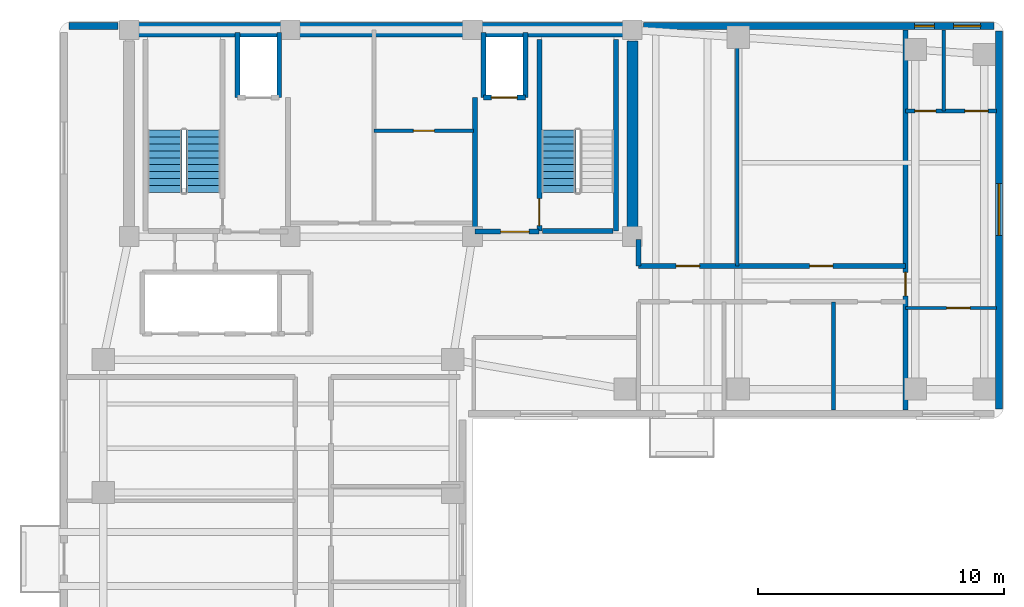
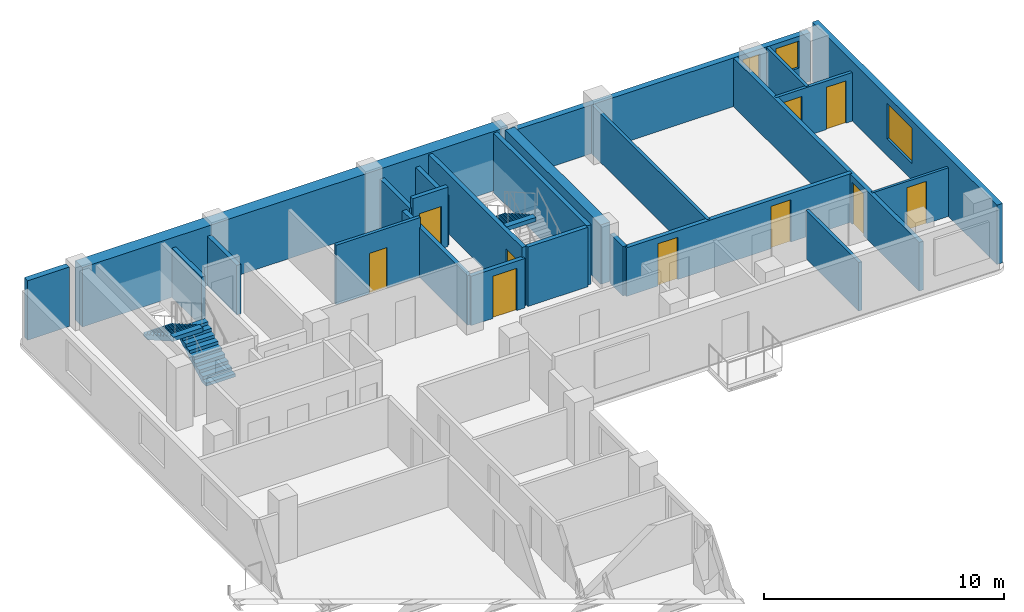
# One storey, part 4 of 7: 24 walls, 10 doors, 3 stair flights, 3 windows, 13 openings, 2 elements without a shape of their own.
"""IFC4 building model written with IfcOpenShell, lengths in metres."""

from ifc_helpers import new_model, si_unit, direction, frame, frame_2d, origin, place, context, subcontext, project, spatial, polyline, rectangle, outline, extrude, material, layer, layer_set, type_object, element, fill, aggregate, save


model = new_model("IFC4")

# Units and contexts
model_context = context("Model", 3, precision=1e-05, world=origin(), true_north=direction((0.0, 1.0)))
body_context = subcontext(model_context, "Body", "Model", "MODEL_VIEW")
ifc_project = project(units=[si_unit("LENGTHUNIT", "METRE"), si_unit("AREAUNIT", "SQUARE_METRE"), si_unit("VOLUMEUNIT", "CUBIC_METRE"), si_unit("PLANEANGLEUNIT", "RADIAN"), si_unit("MASSUNIT", "GRAM", prefix="KILO")], contexts=[model_context])

# Site, building, storey
site_placement = place(None, origin())
site = spatial("IfcSite", under=ifc_project, at=site_placement, CompositionType="ELEMENT")
building_placement = place(site_placement, origin())
building = spatial("IfcBuilding", under=site, at=building_placement, Name="Kuzgunbayir Cultural Tower", CompositionType="ELEMENT")
storey_placement = place(building_placement, frame((0.0, 0.0, 201.60009765625)))
storey = spatial("IfcBuildingStorey", under=building, at=storey_placement, Name="L59", CompositionType="ELEMENT", Elevation=201.60009765625)

# Walls
ifc_material_1 = material(Name="Concrete C50/60", Category="concrete")
ifc_layer_1 = layer(ifc_material_1, 0.449951171875)
ifc_layer_set_1 = layer_set([ifc_layer_1], Name="Concrete C50/60")
wall_type_1 = type_object("IfcWallType", Name="WAL-CORE-450", PredefinedType="SHEAR", material=ifc_layer_set_1)
wall_1_placement = place(storey_placement, frame((26.89990234375, 33.800048828125, 0.0), z_axis=(0.0, 0.0, 1.0), x_axis=(0.0, 1.0, 0.0)))
element("IfcWall", 1, at=wall_1_placement, inside=storey, type_object=wall_type_1, Name="L59 T1 Core East Shear Wall", PredefinedType="SHEAR", context=body_context, shape_type="SweptSolid", body=[
    extrude(rectangle(XDim=7.949951171875, YDim=0.449951171875, at=frame_2d((3.97509765625, 0.0))), origin(), (0.0, 0.0, 1.0), 3.02001953125),
])
ifc_material_2 = material(Name="Concrete C60/75", Category="concrete")
ifc_layer_2 = layer(ifc_material_2, 0.60009765625)
ifc_layer_set_2 = layer_set([ifc_layer_2], Name="Concrete C60/75")
wall_type_2 = type_object("IfcWallType", Name="WAL-CORE-600", PredefinedType="SHEAR", material=ifc_layer_set_2)
wall_2_placement = place(storey_placement, frame((6.449951171875, 42.199951171875, 0.0), z_axis=(0.0, 0.0, 1.0), x_axis=(1.0, 0.0, 0.0)))
element("IfcWall", 2, at=wall_2_placement, inside=storey, type_object=wall_type_2, Name="L59 T1 Core North Shear Wall", PredefinedType="SHEAR", context=body_context, shape_type="SweptSolid", body=[
    extrude(rectangle(XDim=20.449951171875, YDim=0.60009765625, at=frame_2d((10.22509765625, 0.0))), origin(), (0.0, 0.0, 1.0), 3.02001953125),
])

# Wall, openings, windows
ifc_material_3 = material(Name="Anatolian Cream Limestone", Category="masonry")
ifc_layer_3 = layer(ifc_material_3, 0.280029296875)
ifc_layer_set_3 = layer_set([ifc_layer_3], Name="Anatolian Cream Limestone")
wall_type_3 = type_object("IfcWallType", Name="WAL-EXT-STONE-280", PredefinedType="STANDARD", material=ifc_layer_set_3)
wall_3_placement = place(storey_placement, frame((41.60009765625, 42.35009765625, 0.0), z_axis=(0.0, 0.0, 1.0), x_axis=(-1.0, 0.0, 0.0)))
wall_3 = element("IfcWall", 3, at=wall_3_placement, inside=storey, type_object=wall_type_3, Name="L59 North Wing B Limestone Wall", PredefinedType="STANDARD", context=body_context, shape_type="SweptSolid", body=[
    extrude(rectangle(XDim=14.25, YDim=0.280029296875, at=frame_2d((7.125, 0.0))), origin(), (0.0, 0.0, 1.0), 2.469970703125),
])
opening_1_placement = place(wall_3_placement, frame((2.429931640625, 0.0, 0.85009765625)))
opening_1 = element("IfcOpeningElement", 4, at=opening_1_placement, cuts=wall_3, Name="Opening WN-08", PredefinedType="OPENING", context=body_context, shape_type="SweptSolid", body=[
    extrude(rectangle(XDim=0.800048828125, YDim=1.3701171875, at=frame_2d((0.39990234375, 0.68505859375))), frame((0.0, 0.14990234375, 0.0), z_axis=(0.0, -1.0, 0.0), x_axis=(1.0, 0.0, 0.0)), (0.0, 0.0, 1.0), 0.300048828125),
])
opening_2_placement = place(wall_3_placement, frame((0.550048828125, 0.0, 0.85009765625)))
opening_2 = element("IfcOpeningElement", 5, at=opening_2_placement, cuts=wall_3, Name="Opening WN-11", PredefinedType="OPENING", context=body_context, shape_type="SweptSolid", body=[
    extrude(rectangle(XDim=1.10009765625, YDim=1.3701171875, at=frame_2d((0.550048828125, 0.68505859375))), frame((0.0, 0.14990234375, 0.0), z_axis=(0.0, -1.0, 0.0), x_axis=(1.0, 0.0, 0.0)), (0.0, 0.0, 1.0), 0.300048828125),
])
ifc_material_4 = material(Name="Solar-Control Triple Glazing", Category="glass")
window_type_1 = type_object("IfcWindowType", Name="WIN-NARROW-11", PartitioningType="SINGLE_PANEL", PredefinedType="WINDOW", material=ifc_material_4)
window_1_placement = place(opening_2_placement, origin())
window_1 = element("IfcWindow", 6, at=window_1_placement, inside=storey, type_object=window_type_1, Name="L59 CRN Facade Window 8", OverallHeight=1.3701171875, OverallWidth=1.10009765625, PartitioningType="SINGLE_PANEL", PredefinedType="WINDOW", context=body_context, shape_type="SweptSolid", body=[
    extrude(rectangle(XDim=1.10009765625, YDim=1.3701171875, at=frame_2d((0.550048828125, 0.68505859375))), frame((0.0, 0.030029296875, 0.0), z_axis=(0.0, -1.0, 0.0), x_axis=(1.0, 0.0, 0.0)), (0.0, 0.0, 1.0), 0.06005859375),
])
fill(opening_2, window_1)
window_type_2 = type_object("IfcWindowType", Name="WIN-NARROW-80", PartitioningType="SINGLE_PANEL", PredefinedType="WINDOW", material=ifc_material_4)
window_2_placement = place(opening_1_placement, origin())
window_2 = element("IfcWindow", 7, at=window_2_placement, inside=storey, type_object=window_type_2, Name="L59 CRN Facade Window 7", OverallHeight=1.3701171875, OverallWidth=0.800048828125, PartitioningType="SINGLE_PANEL", PredefinedType="WINDOW", context=body_context, shape_type="SweptSolid", body=[
    extrude(rectangle(XDim=0.800048828125, YDim=1.3701171875, at=frame_2d((0.39990234375, 0.68505859375))), frame((0.0, 0.030029296875, 0.0), z_axis=(0.0, -1.0, 0.0), x_axis=(1.0, 0.0, 0.0)), (0.0, 0.0, 1.0), 0.06005859375),
])
fill(opening_1, window_2)

# Wall
wall_4_placement = place(storey_placement, frame((6.0, 42.35009765625, 0.0), z_axis=(0.0, 0.0, 1.0), x_axis=(-1.0, 0.0, 0.0)))
element("IfcWall", 8, at=wall_4_placement, inside=storey, type_object=wall_type_3, Name="L59 Core North-West Spandrel Link", PredefinedType="STANDARD", context=body_context, shape_type="SweptSolid", body=[
    extrude(rectangle(XDim=2.0, YDim=0.280029296875, at=frame_2d((1.0, 0.0))), origin(), (0.0, 0.0, 1.0), 3.02001953125),
])

# Wall, opening, window
wall_5_placement = place(storey_placement, frame((41.800048828125, 26.800048828125, 0.0), z_axis=(0.0, 0.0, 1.0), x_axis=(0.0, 1.0, 0.0)))
wall_5 = element("IfcWall", 9, at=wall_5_placement, inside=storey, type_object=wall_type_3, Name="L59 Wing B East Limestone Wall", PredefinedType="STANDARD", context=body_context, shape_type="SweptSolid", body=[
    extrude(rectangle(XDim=15.349853515625, YDim=0.280029296875, at=frame_2d((7.6748046875, 0.0))), origin(), (0.0, 0.0, 1.0), 3.02001953125),
])
opening_3_placement = place(wall_5_placement, frame((7.050048828125, 0.0, 0.85009765625)))
opening_3 = element("IfcOpeningElement", 10, at=opening_3_placement, cuts=wall_5, Name="Opening WR-21", PredefinedType="OPENING", context=body_context, shape_type="SweptSolid", body=[
    extrude(rectangle(XDim=2.10009765625, YDim=1.800048828125, at=frame_2d((1.050048828125, 0.89990234375))), frame((0.0, 0.14990234375, 0.0), z_axis=(0.0, -1.0, 0.0), x_axis=(1.0, 0.0, 0.0)), (0.0, 0.0, 1.0), 0.300048828125),
])
window_type_3 = type_object("IfcWindowType", Name="WIN-RESID-21", PartitioningType="SINGLE_PANEL", PredefinedType="WINDOW", material=ifc_material_4)
window_3_placement = place(opening_3_placement, origin())
window_3 = element("IfcWindow", 11, at=window_3_placement, inside=storey, type_object=window_type_3, Name="L59 WBE Facade Window 5", OverallHeight=1.800048828125, OverallWidth=2.10009765625, PartitioningType="SINGLE_PANEL", PredefinedType="WINDOW", context=body_context, shape_type="SweptSolid", body=[
    extrude(rectangle(XDim=2.10009765625, YDim=1.800048828125, at=frame_2d((1.050048828125, 0.89990234375))), frame((0.0, 0.030029296875, 0.0), z_axis=(0.0, -1.0, 0.0), x_axis=(1.0, 0.0, 0.0)), (0.0, 0.0, 1.0), 0.06005859375),
])
fill(opening_3, window_3)

# Wall, opening, door
ifc_material_5 = material(Name="Acoustic Double-Stud Drywall", Category="gypsum")
ifc_layer_4 = layer(ifc_material_5, 0.14990234375)
ifc_layer_set_4 = layer_set([ifc_layer_4], Name="Acoustic Double-Stud Drywall")
wall_type_4 = type_object("IfcWallType", Name="WAL-PART-ACOUSTIC-150", PredefinedType="PARTITIONING", material=ifc_layer_set_4)
wall_6_placement = place(storey_placement, frame((16.39990234375, 38.10009765625, 0.0), z_axis=(0.0, 0.0, 1.0), x_axis=(1.0, 0.0, 0.0)))
wall_6 = element("IfcWall", 12, at=wall_6_placement, inside=storey, type_object=wall_type_4, Name="L59 Sky Core Mid Divider", PredefinedType="PARTITIONING", context=body_context, shape_type="SweptSolid", body=[
    extrude(rectangle(XDim=4.050048828125, YDim=0.14990234375, at=frame_2d((2.02490234375, 0.0))), origin(), (0.0, 0.0, 1.0), 3.02001953125),
])
opening_4_placement = place(wall_6_placement, frame((1.60009765625, 0.0, 0.0)))
opening_4 = element("IfcOpeningElement", 13, at=opening_4_placement, cuts=wall_6, Name="Opening DC-85", PredefinedType="OPENING", context=body_context, shape_type="SweptSolid", body=[
    extrude(rectangle(XDim=0.85009765625, YDim=2.050048828125, at=frame_2d((0.425048828125, 1.02490234375))), frame((0.0, 0.0849609375, 0.0), z_axis=(0.0, -1.0, 0.0), x_axis=(1.0, 0.0, 0.0)), (0.0, 0.0, 1.0), 0.169921875),
])
ifc_material_6 = material(Name="Fire-Rated Veneered Oak Leaf", Category="wood")
door_type_1 = type_object("IfcDoorType", Name="DR-CORE-85", OperationType="NOTDEFINED", PredefinedType="DOOR", material=ifc_material_6)
door_1_placement = place(opening_4_placement, origin())
door_1 = element("IfcDoor", 14, at=door_1_placement, inside=storey, type_object=door_type_1, Name="L59 Meditation Room Door", OperationType="SINGLE_SWING_RIGHT", OverallHeight=2.050048828125, OverallWidth=0.85009765625, PredefinedType="DOOR", context=body_context, shape_type="SweptSolid", body=[
    extrude(rectangle(XDim=0.85009765625, YDim=2.050048828125, at=frame_2d((0.425048828125, 1.02490234375))), frame((0.0, 0.02490234375, 0.0), z_axis=(0.0, -1.0, 0.0), x_axis=(1.0, 0.0, 0.0)), (0.0, 0.0, 1.0), 0.050048828125),
])
fill(opening_4, door_1)

# Walls
wall_7_placement = place(storey_placement, frame((35.070068359375, 26.75, 0.0), z_axis=(0.0, 0.0, 1.0), x_axis=(0.0, 1.0, 0.0)))
element("IfcWall", 15, at=wall_7_placement, inside=storey, type_object=wall_type_4, Name="L59 Wing B South Divider 2", PredefinedType="PARTITIONING", context=body_context, shape_type="SweptSolid", body=[
    extrude(rectangle(XDim=4.39990234375, YDim=0.14990234375, at=frame_2d((2.199951171875, 0.0))), origin(), (0.0, 0.0, 1.0), 2.469970703125),
])
wall_8_placement = place(storey_placement, frame((31.159912109375, 32.60009765625, 0.0), z_axis=(0.0, 0.0, 1.0), x_axis=(0.0, 1.0, 0.0)))
element("IfcWall", 16, at=wall_8_placement, inside=storey, type_object=wall_type_4, Name="L59 Wing B North Divider 1", PredefinedType="PARTITIONING", context=body_context, shape_type="SweptSolid", body=[
    extrude(rectangle(XDim=9.599853515625, YDim=0.14990234375, at=frame_2d((4.7998046875, 0.0))), origin(), (0.0, 0.0, 1.0), 2.469970703125),
])
ifc_material_7 = material(Name="Aerated Concrete Blockwork", Category="masonry")
ifc_layer_5 = layer(ifc_material_7, 0.199951171875)
ifc_layer_set_5 = layer_set([ifc_layer_5], Name="Aerated Concrete Blockwork")
wall_type_5 = type_object("IfcWallType", Name="WAL-PART-FIRE-200", PredefinedType="PARTITIONING", material=ifc_layer_set_5)
wall_9_placement = place(storey_placement, frame((20.5, 34.0, 0.0), z_axis=(0.0, 0.0, 1.0), x_axis=(0.0, 1.0, 0.0)))
element("IfcWall", 17, at=wall_9_placement, inside=storey, type_object=wall_type_5, Name="L59 FFL-2 Lobby West Fire Wall", PredefinedType="PARTITIONING", context=body_context, shape_type="SweptSolid", body=[
    extrude(rectangle(XDim=5.449951171875, YDim=0.199951171875, at=frame_2d((2.72509765625, 0.0))), origin(), (0.0, 0.0, 1.0), 2.510009765625),
])

# Wall, opening, door
wall_10_placement = place(storey_placement, frame((20.5, 34.0, 0.0), z_axis=(0.0, 0.0, 1.0), x_axis=(1.0, 0.0, 0.0)))
wall_10 = element("IfcWall", 18, at=wall_10_placement, inside=storey, type_object=wall_type_5, Name="L59 FFL-2 Lobby South Fire Wall", PredefinedType="PARTITIONING", context=body_context, shape_type="SweptSolid", body=[
    extrude(rectangle(XDim=2.60009765625, YDim=0.199951171875, at=frame_2d((1.300048828125, 0.0))), origin(), (0.0, 0.0, 1.0), 2.510009765625),
])
opening_5_placement = place(wall_10_placement, frame((1.050048828125, 0.0, 0.0)))
opening_5 = element("IfcOpeningElement", 19, at=opening_5_placement, cuts=wall_10, Name="Opening DR-FFL-90", PredefinedType="OPENING", context=body_context, shape_type="SweptSolid", body=[
    extrude(rectangle(XDim=1.14990234375, YDim=2.14990234375, at=frame_2d((0.574951171875, 1.074951171875))), frame((0.0, 0.10986328125, 0.0), z_axis=(0.0, -1.0, 0.0), x_axis=(1.0, 0.0, 0.0)), (0.0, 0.0, 1.0), 0.219970703125),
])
ifc_material_8 = material(Name="Steel S355J2", Category="steel")
door_type_2 = type_object("IfcDoorType", Name="DR-FFL-90", OperationType="NOTDEFINED", PredefinedType="DOOR", material=ifc_material_8)
door_2_placement = place(opening_5_placement, origin())
door_2 = element("IfcDoor", 20, at=door_2_placement, inside=storey, type_object=door_type_2, Name="L59 Firefighting Lobby 2 Door", OperationType="SINGLE_SWING_RIGHT", OverallHeight=2.14990234375, OverallWidth=1.14990234375, PredefinedType="DOOR", context=body_context, shape_type="SweptSolid", body=[
    extrude(rectangle(XDim=1.14990234375, YDim=2.14990234375, at=frame_2d((0.574951171875, 1.074951171875))), frame((0.0, 0.02490234375, 0.0), z_axis=(0.0, -1.0, 0.0), x_axis=(1.0, 0.0, 0.0)), (0.0, 0.0, 1.0), 0.050048828125),
])
fill(opening_5, door_2)

# Wall, openings, doors
wall_11_placement = place(storey_placement, frame((27.14990234375, 32.60009765625, 0.0), z_axis=(0.0, 0.0, 1.0), x_axis=(1.0, 0.0, 0.0)))
wall_11 = element("IfcWall", 21, at=wall_11_placement, inside=storey, type_object=wall_type_5, Name="L59 Wing B Residence Corridor North Wall", PredefinedType="PARTITIONING", context=body_context, shape_type="SweptSolid", body=[
    extrude(rectangle(XDim=10.85009765625, YDim=0.199951171875, at=frame_2d((5.425048828125, 0.0))), origin(), (0.0, 0.0, 1.0), 2.469970703125),
])
opening_6_placement = place(wall_11_placement, frame((1.530029296875, 0.0, 0.0)))
opening_6 = element("IfcOpeningElement", 22, at=opening_6_placement, cuts=wall_11, Name="Opening DI-90", PredefinedType="OPENING", context=body_context, shape_type="SweptSolid", body=[
    extrude(rectangle(XDim=0.949951171875, YDim=2.14990234375, at=frame_2d((0.47509765625, 1.074951171875))), frame((0.0, 0.10986328125, 0.0), z_axis=(0.0, -1.0, 0.0), x_axis=(1.0, 0.0, 0.0)), (0.0, 0.0, 1.0), 0.219970703125),
])
opening_7_placement = place(wall_11_placement, frame((6.949951171875, 0.0, 0.0)))
opening_7 = element("IfcOpeningElement", 23, at=opening_7_placement, cuts=wall_11, Name="Opening DI-90", PredefinedType="OPENING", context=body_context, shape_type="SweptSolid", body=[
    extrude(rectangle(XDim=0.949951171875, YDim=2.14990234375, at=frame_2d((0.47509765625, 1.074951171875))), frame((0.0, 0.10986328125, 0.0), z_axis=(0.0, -1.0, 0.0), x_axis=(1.0, 0.0, 0.0)), (0.0, 0.0, 1.0), 0.219970703125),
])
ifc_material_9 = material(Name="Veneered Oak Single Leaf", Category="wood")
door_type_3 = type_object("IfcDoorType", Name="DR-INT-90", OperationType="NOTDEFINED", PredefinedType="DOOR", material=ifc_material_9)
door_3_placement = place(opening_6_placement, origin())
door_3 = element("IfcDoor", 24, at=door_3_placement, inside=storey, type_object=door_type_3, Name="L59 Residents Curatorial Office 1 Door", OperationType="SINGLE_SWING_RIGHT", OverallHeight=2.14990234375, OverallWidth=0.949951171875, PredefinedType="DOOR", context=body_context, shape_type="SweptSolid", body=[
    extrude(rectangle(XDim=0.949951171875, YDim=2.14990234375, at=frame_2d((0.47509765625, 1.074951171875))), frame((0.0, 0.02490234375, 0.0), z_axis=(0.0, -1.0, 0.0), x_axis=(1.0, 0.0, 0.0)), (0.0, 0.0, 1.0), 0.050048828125),
])
fill(opening_6, door_3)
door_4_placement = place(opening_7_placement, origin())
door_4 = element("IfcDoor", 25, at=door_4_placement, inside=storey, type_object=door_type_3, Name="L59 Residents Seminar Boardroom 2 Door", OperationType="SINGLE_SWING_LEFT", OverallHeight=2.14990234375, OverallWidth=0.949951171875, PredefinedType="DOOR", context=body_context, shape_type="SweptSolid", body=[
    extrude(rectangle(XDim=0.949951171875, YDim=2.14990234375, at=frame_2d((0.47509765625, 1.074951171875))), frame((0.0, 0.02490234375, 0.0), z_axis=(0.0, -1.0, 0.0), x_axis=(1.0, 0.0, 0.0)), (0.0, 0.0, 1.0), 0.050048828125),
])
fill(opening_7, door_4)

# Wall
wall_12_placement = place(storey_placement, frame((27.14990234375, 32.60009765625, 0.0), z_axis=(0.0, 0.0, 1.0), x_axis=(0.0, 1.0, 0.0)))
element("IfcWall", 26, at=wall_12_placement, inside=storey, type_object=wall_type_5, Name="L59 Wing B Residence North Core Closure Wall", PredefinedType="PARTITIONING", context=body_context, shape_type="SweptSolid", body=[
    extrude(rectangle(XDim=1.079833984375, YDim=0.199951171875, at=frame_2d((0.5400390625, 0.0))), origin(), (0.0, 0.0, 1.0), 2.510009765625),
])

# Wall, opening, door
wall_13_placement = place(storey_placement, frame((38.0, 26.75, 0.0), z_axis=(0.0, 0.0, 1.0), x_axis=(0.0, 1.0, 0.0)))
wall_13 = element("IfcWall", 27, at=wall_13_placement, inside=storey, type_object=wall_type_5, Name="L59 Apartment D Party Wall", PredefinedType="PARTITIONING", context=body_context, shape_type="SweptSolid", body=[
    extrude(rectangle(XDim=15.449951171875, YDim=0.199951171875, at=frame_2d((7.72509765625, 0.0))), origin(), (0.0, 0.0, 1.0), 2.469970703125),
])
opening_8_placement = place(wall_13_placement, frame((4.639892578125, 0.0, 0.0)))
opening_8 = element("IfcOpeningElement", 28, at=opening_8_placement, cuts=wall_13, Name="Opening DR-APT-60", PredefinedType="OPENING", context=body_context, shape_type="SweptSolid", body=[
    extrude(rectangle(XDim=0.949951171875, YDim=2.14990234375, at=frame_2d((0.47509765625, 1.074951171875))), frame((0.0, 0.10986328125, 0.0), z_axis=(0.0, -1.0, 0.0), x_axis=(1.0, 0.0, 0.0)), (0.0, 0.0, 1.0), 0.219970703125),
])
ifc_material_10 = material(Name="Acoustic Fire Timber Leaf", Category="wood")
door_type_4 = type_object("IfcDoorType", Name="DR-APT-60", OperationType="NOTDEFINED", PredefinedType="DOOR", material=ifc_material_10)
door_5_placement = place(opening_8_placement, origin())
door_5 = element("IfcDoor", 29, at=door_5_placement, inside=storey, type_object=door_type_4, Name="L59 Apartment D Entrance", OperationType="SINGLE_SWING_LEFT", OverallHeight=2.14990234375, OverallWidth=0.949951171875, PredefinedType="DOOR", context=body_context, shape_type="SweptSolid", body=[
    extrude(rectangle(XDim=0.949951171875, YDim=2.14990234375, at=frame_2d((0.47509765625, 1.074951171875))), frame((0.0, 0.02490234375, 0.0), z_axis=(0.0, -1.0, 0.0), x_axis=(1.0, 0.0, 0.0)), (0.0, 0.0, 1.0), 0.050048828125),
])
fill(opening_8, door_5)

ifc_material_11 = material(Name="Framed Gypsum Partition", Category="gypsum")
ifc_layer_6 = layer(ifc_material_11, 0.1201171875)
ifc_layer_set_6 = layer_set([ifc_layer_6], Name="Framed Gypsum Partition")
wall_type_6 = type_object("IfcWallType", Name="WAL-PART-INT-120", PredefinedType="PARTITIONING", material=ifc_layer_set_6)
wall_14_placement = place(storey_placement, frame((38.0, 30.89990234375, 0.0), z_axis=(0.0, 0.0, 1.0), x_axis=(1.0, 0.0, 0.0)))
wall_14 = element("IfcWall", 30, at=wall_14_placement, inside=storey, type_object=wall_type_6, Name="L59 Flat D Bedroom Wall", PredefinedType="PARTITIONING", context=body_context, shape_type="SweptSolid", body=[
    extrude(rectangle(XDim=3.699951171875, YDim=0.1201171875, at=frame_2d((1.85009765625, 0.0))), origin(), (0.0, 0.0, 1.0), 2.469970703125),
])
opening_9_placement = place(wall_14_placement, frame((1.669921875, 0.0, 0.0)))
opening_9 = element("IfcOpeningElement", 31, at=opening_9_placement, cuts=wall_14, Name="Opening DI-90", PredefinedType="OPENING", context=body_context, shape_type="SweptSolid", body=[
    extrude(rectangle(XDim=0.949951171875, YDim=2.14990234375, at=frame_2d((0.47509765625, 1.074951171875))), frame((0.0, 0.070068359375, 0.0), z_axis=(0.0, -1.0, 0.0), x_axis=(1.0, 0.0, 0.0)), (0.0, 0.0, 1.0), 0.14013671875),
])
door_6_placement = place(opening_9_placement, origin())
door_6 = element("IfcDoor", 32, at=door_6_placement, inside=storey, type_object=door_type_3, Name="L59 Apartment D Bedroom Door", OperationType="SINGLE_SWING_RIGHT", OverallHeight=2.14990234375, OverallWidth=0.949951171875, PredefinedType="DOOR", context=body_context, shape_type="SweptSolid", body=[
    extrude(rectangle(XDim=0.949951171875, YDim=2.14990234375, at=frame_2d((0.47509765625, 1.074951171875))), frame((0.0, 0.02490234375, 0.0), z_axis=(0.0, -1.0, 0.0), x_axis=(1.0, 0.0, 0.0)), (0.0, 0.0, 1.0), 0.050048828125),
])
fill(opening_9, door_6)

# Wall, openings, doors
ifc_material_12 = material(Name="Moisture-Resistant Tile Partition", Category="gypsum")
ifc_layer_7 = layer(ifc_material_12, 0.14990234375)
ifc_layer_set_7 = layer_set([ifc_layer_7], Name="Moisture-Resistant Tile Partition")
wall_type_7 = type_object("IfcWallType", Name="WAL-PART-WET-150", PredefinedType="PARTITIONING", material=ifc_layer_set_7)
wall_15_placement = place(storey_placement, frame((38.0, 38.89990234375, 0.0), z_axis=(0.0, 0.0, 1.0), x_axis=(1.0, 0.0, 0.0)))
wall_15 = element("IfcWall", 33, at=wall_15_placement, inside=storey, type_object=wall_type_7, Name="L59 Flat D Service Wall", PredefinedType="PARTITIONING", context=body_context, shape_type="SweptSolid", body=[
    extrude(rectangle(XDim=3.699951171875, YDim=0.14990234375, at=frame_2d((1.85009765625, 0.0))), origin(), (0.0, 0.0, 1.0), 2.469970703125),
])
opening_10_placement = place(wall_15_placement, frame((0.3798828125, 0.0, 0.0)))
opening_10 = element("IfcOpeningElement", 34, at=opening_10_placement, cuts=wall_15, Name="Opening DW-85", PredefinedType="OPENING", context=body_context, shape_type="SweptSolid", body=[
    extrude(rectangle(XDim=0.85009765625, YDim=2.10009765625, at=frame_2d((0.425048828125, 1.050048828125))), frame((0.0, 0.0849609375, 0.0), z_axis=(0.0, -1.0, 0.0), x_axis=(1.0, 0.0, 0.0)), (0.0, 0.0, 1.0), 0.169921875),
])
opening_11_placement = place(wall_15_placement, frame((2.409912109375, 0.0, 0.0)))
opening_11 = element("IfcOpeningElement", 35, at=opening_11_placement, cuts=wall_15, Name="Opening DI-90", PredefinedType="OPENING", context=body_context, shape_type="SweptSolid", body=[
    extrude(rectangle(XDim=0.949951171875, YDim=2.14990234375, at=frame_2d((0.47509765625, 1.074951171875))), frame((0.0, 0.0849609375, 0.0), z_axis=(0.0, -1.0, 0.0), x_axis=(1.0, 0.0, 0.0)), (0.0, 0.0, 1.0), 0.169921875),
])
door_7_placement = place(opening_11_placement, origin())
door_7 = element("IfcDoor", 36, at=door_7_placement, inside=storey, type_object=door_type_3, Name="L59 Apartment D Kitchen Door", OperationType="SINGLE_SWING_RIGHT", OverallHeight=2.14990234375, OverallWidth=0.949951171875, PredefinedType="DOOR", context=body_context, shape_type="SweptSolid", body=[
    extrude(rectangle(XDim=0.949951171875, YDim=2.14990234375, at=frame_2d((0.47509765625, 1.074951171875))), frame((0.0, 0.02490234375, 0.0), z_axis=(0.0, -1.0, 0.0), x_axis=(1.0, 0.0, 0.0)), (0.0, 0.0, 1.0), 0.050048828125),
])
fill(opening_11, door_7)
ifc_material_13 = material(Name="Laminate Moisture-Resistant Leaf", Category="wood")
door_type_5 = type_object("IfcDoorType", Name="DR-WET-85", OperationType="NOTDEFINED", PredefinedType="DOOR", material=ifc_material_13)
door_8_placement = place(opening_10_placement, origin())
door_8 = element("IfcDoor", 37, at=door_8_placement, inside=storey, type_object=door_type_5, Name="L59 Apartment D Bathroom Door", OperationType="SINGLE_SWING_LEFT", OverallHeight=2.10009765625, OverallWidth=0.85009765625, PredefinedType="DOOR", context=body_context, shape_type="SweptSolid", body=[
    extrude(rectangle(XDim=0.85009765625, YDim=2.10009765625, at=frame_2d((0.425048828125, 1.050048828125))), frame((0.0, 0.02490234375, 0.0), z_axis=(0.0, -1.0, 0.0), x_axis=(1.0, 0.0, 0.0)), (0.0, 0.0, 1.0), 0.050048828125),
])
fill(opening_10, door_8)

# Wall
wall_16_placement = place(storey_placement, frame((39.550048828125, 38.89990234375, 0.0), z_axis=(0.0, 0.0, 1.0), x_axis=(0.0, 1.0, 0.0)))
element("IfcWall", 38, at=wall_16_placement, inside=storey, type_object=wall_type_7, Name="L59 Flat D Bath Divider", PredefinedType="PARTITIONING", context=body_context, shape_type="SweptSolid", body=[
    extrude(rectangle(XDim=3.300048828125, YDim=0.14990234375, at=frame_2d((1.64990234375, 0.0))), origin(), (0.0, 0.0, 1.0), 2.469970703125),
])

# Wall, opening, door
ifc_material_14 = material(Name="Concrete C40/50", Category="concrete")
ifc_layer_8 = layer(ifc_material_14, 0.199951171875)
ifc_layer_set_8 = layer_set([ifc_layer_8], Name="Concrete C40/50")
wall_type_8 = type_object("IfcWallType", Name="WAL-SHAFT-200", PredefinedType="MOVABLE", material=ifc_layer_set_8)
wall_17_placement = place(storey_placement, frame((20.85009765625, 39.449951171875, 0.0), z_axis=(0.0, 0.0, 1.0), x_axis=(1.0, 0.0, 0.0)))
wall_17 = element("IfcWall", 39, at=wall_17_placement, inside=storey, type_object=wall_type_8, Name="L59 FFL-2 Lift Front Wall", PredefinedType="MOVABLE", context=body_context, shape_type="SweptSolid", body=[
    extrude(rectangle(XDim=1.699951171875, YDim=0.199951171875, at=frame_2d((0.85009765625, 0.0))), origin(), (0.0, 0.0, 1.0), 3.02001953125),
])
opening_12_placement = place(wall_17_placement, frame((0.320068359375, 0.0, 0.0)))
opening_12 = element("IfcOpeningElement", 40, at=opening_12_placement, cuts=wall_17, Name="Opening LD", PredefinedType="OPENING", context=body_context, shape_type="SweptSolid", body=[
    extrude(rectangle(XDim=1.050048828125, YDim=2.14990234375, at=frame_2d((0.52490234375, 1.074951171875))), frame((0.0, 0.10986328125, 0.0), z_axis=(0.0, -1.0, 0.0), x_axis=(1.0, 0.0, 0.0)), (0.0, 0.0, 1.0), 0.219970703125),
])
ifc_material_15 = material(Name="Brushed Stainless Steel", Category="steel")
door_type_6 = type_object("IfcDoorType", Name="DR-LIFT-LANDING", OperationType="SLIDING_TO_LEFT", PredefinedType="DOOR", material=ifc_material_15)
door_9_placement = place(opening_12_placement, origin())
door_9 = element("IfcDoor", 41, at=door_9_placement, inside=storey, type_object=door_type_6, Name="L59 Lift FFL-2 Landing Door", OperationType="SLIDING_TO_LEFT", OverallHeight=2.14990234375, OverallWidth=1.050048828125, PredefinedType="DOOR", context=body_context, shape_type="SweptSolid", body=[
    extrude(rectangle(XDim=1.050048828125, YDim=2.14990234375, at=frame_2d((0.52490234375, 1.074951171875))), frame((0.0, 0.02490234375, 0.0), z_axis=(0.0, -1.0, 0.0), x_axis=(1.0, 0.0, 0.0)), (0.0, 0.0, 1.0), 0.050048828125),
])
fill(opening_12, door_9)

# Walls
for number, where, z_axis, x_axis, name in (
    (42, (10.85009765625, 39.449951171875, 0.0), (0.0, 0.0, 1.0), (0.0, 1.0, 0.0), "L59 FFL-1 Shaft West Wall"),
    (43, (12.550048828125, 39.449951171875, 0.0), (0.0, 0.0, 1.0), (0.0, 1.0, 0.0), "L59 FFL-1 Shaft East Wall"),
    (44, (20.85009765625, 39.449951171875, 0.0), (0.0, 0.0, 1.0), (0.0, 1.0, 0.0), "L59 FFL-2 Shaft West Wall"),
    (45, (22.550048828125, 39.449951171875, 0.0), (0.0, 0.0, 1.0), (0.0, 1.0, 0.0), "L59 FFL-2 Shaft East Wall"),
):
    element("IfcWall", number, at=place(storey_placement, frame(where, z_axis=z_axis, x_axis=x_axis)), inside=storey, type_object=wall_type_8, Name=name, PredefinedType="MOVABLE", context=body_context, shape_type="SweptSolid", body=[
        extrude(rectangle(XDim=2.650146484375, YDim=0.199951171875, at=frame_2d((1.3251953125, 0.0))), origin(), (0.0, 0.0, 1.0), 2.510009765625),
    ])

# Wall, opening, door
ifc_layer_9 = layer(ifc_material_14, 0.199951171875)
ifc_layer_set_9 = layer_set([ifc_layer_9], Name="Concrete C40/50")
wall_type_9 = type_object("IfcWallType", Name="WAL-STAIR-RC-200", PredefinedType="SHEAR", material=ifc_layer_set_9)
wall_18_placement = place(storey_placement, frame((23.1201171875, 34.02001953125, 0.0), z_axis=(0.0, 0.0, 1.0), x_axis=(0.0, 1.0, 0.0)))
wall_18 = element("IfcWall", 46, at=wall_18_placement, inside=storey, type_object=wall_type_9, Name="L59 Stair ST-2 West Structural Wall", PredefinedType="SHEAR", context=body_context, shape_type="SweptSolid", body=[
    extrude(rectangle(XDim=7.780029296875, YDim=0.199951171875, at=frame_2d((3.89013671875, 0.0))), origin(), (0.0, 0.0, 1.0), 3.02001953125),
])
opening_13_placement = place(wall_18_placement, frame((0.219970703125, 0.0, 0.0)))
opening_13 = element("IfcOpeningElement", 47, at=opening_13_placement, cuts=wall_18, Name="Opening DR-STAIR-90", PredefinedType="OPENING", context=body_context, shape_type="SweptSolid", body=[
    extrude(rectangle(XDim=1.10009765625, YDim=2.14990234375, at=frame_2d((0.550048828125, 1.074951171875))), frame((0.0, 0.10986328125, 0.0), z_axis=(0.0, -1.0, 0.0), x_axis=(1.0, 0.0, 0.0)), (0.0, 0.0, 1.0), 0.219970703125),
])
door_type_7 = type_object("IfcDoorType", Name="DR-STAIR-90", OperationType="NOTDEFINED", PredefinedType="DOOR", material=ifc_material_8)
door_10_placement = place(opening_13_placement, origin())
door_10 = element("IfcDoor", 48, at=door_10_placement, inside=storey, type_object=door_type_7, Name="L59 Stair ST-2 Fire Door", OperationType="SINGLE_SWING_LEFT", OverallHeight=2.14990234375, OverallWidth=1.10009765625, PredefinedType="DOOR", context=body_context, shape_type="SweptSolid", body=[
    extrude(rectangle(XDim=1.10009765625, YDim=2.14990234375, at=frame_2d((0.550048828125, 1.074951171875))), frame((0.0, 0.02490234375, 0.0), z_axis=(0.0, -1.0, 0.0), x_axis=(1.0, 0.0, 0.0)), (0.0, 0.0, 1.0), 0.050048828125),
])
fill(opening_13, door_10)

# Walls
wall_19_placement = place(storey_placement, frame((26.239990234375, 34.02001953125, 0.0), z_axis=(0.0, 0.0, 1.0), x_axis=(0.0, 1.0, 0.0)))
element("IfcWall", 49, at=wall_19_placement, inside=storey, type_object=wall_type_9, Name="L59 Stair ST-2 East Structural Wall", PredefinedType="SHEAR", context=body_context, shape_type="SweptSolid", body=[
    extrude(rectangle(XDim=7.780029296875, YDim=0.199951171875, at=frame_2d((3.89013671875, 0.0))), origin(), (0.0, 0.0, 1.0), 3.02001953125),
])
wall_20_placement = place(storey_placement, frame((23.239990234375, 34.02001953125, 0.0), z_axis=(0.0, 0.0, 1.0), x_axis=(1.0, 0.0, 0.0)))
element("IfcWall", 50, at=wall_20_placement, inside=storey, type_object=wall_type_9, Name="L59 Stair ST-2 South Structural Wall", PredefinedType="SHEAR", context=body_context, shape_type="SweptSolid", body=[
    extrude(rectangle(XDim=2.880126953125, YDim=0.199951171875, at=frame_2d((1.43994140625, 0.0))), origin(), (0.0, 0.0, 1.0), 3.02001953125),
])

# Stair, stair flights
stair_type = type_object("IfcStairType", Name="STR-EXIT-CORE", PredefinedType="HALF_TURN_STAIR", material=ifc_material_14)
stair_1_placement = place(storey_placement, origin())
stair_1 = element("IfcStair", 51, at=stair_1_placement, inside=storey, type_object=stair_type, Name="L59 ST-1", PredefinedType="HALF_TURN_STAIR")
stair_flight_type = type_object("IfcStairFlightType", Name="STRF-RC-140", PredefinedType="STRAIGHT", material=ifc_material_14)
stair_flight_1_placement = place(storey_placement, frame((9.4599609375, 35.60009765625, 0.0), z_axis=(0.0, 0.0, 1.0), x_axis=(0.0, 1.0, 0.0)))
stair_flight_1 = element("IfcStairFlight", 52, at=stair_flight_1_placement, type_object=stair_flight_type, Name="ST-1 flight 1", NumberOfRisers=10, NumberOfTreads=9, PredefinedType="STRAIGHT", RiserHeight=0.16, TreadLength=0.28, context=body_context, shape_type="SweptSolid", body=[
    extrude(outline(polyline([(0.0, 0.0), (0.0, 0.159912109375), (0.280029296875, 0.159912109375), (0.280029296875, 0.320068359375), (0.56005859375, 0.320068359375), (0.56005859375, 0.47998046875), (0.840087890625, 0.47998046875), (0.840087890625, 0.639892578125), (1.1201171875, 0.639892578125), (1.1201171875, 0.800048828125), (1.39990234375, 0.800048828125), (1.39990234375, 0.9599609375), (1.679931640625, 0.9599609375), (1.679931640625, 1.1201171875), (1.9599609375, 1.1201171875), (1.9599609375, 1.280029296875), (2.239990234375, 1.280029296875), (2.239990234375, 1.43994140625), (2.52001953125, 1.43994140625), (2.52001953125, 1.60009765625), (2.52001953125, 1.232666015625), (0.362548828125, 0.0), (0.0, 0.0)])), frame((0.0, 0.699951171875, 0.0), z_axis=(0.0, -1.0, 0.0), x_axis=(1.0, 0.0, 0.0)), (0.0, 0.0, 1.0), 1.39990234375),
])
stair_flight_2_placement = place(storey_placement, frame((7.89990234375, 38.1201171875, 1.599853515625), z_axis=(0.0, 0.0, 1.0), x_axis=(0.0, -1.0, 0.0)))
stair_flight_2 = element("IfcStairFlight", 53, at=stair_flight_2_placement, type_object=stair_flight_type, Name="ST-1 flight 2", NumberOfRisers=10, NumberOfTreads=9, PredefinedType="STRAIGHT", RiserHeight=0.16, TreadLength=0.28, context=body_context, shape_type="SweptSolid", body=[
    extrude(outline(polyline([(0.0, 0.0), (0.0, 0.159912109375), (0.280029296875, 0.159912109375), (0.280029296875, 0.320068359375), (0.56005859375, 0.320068359375), (0.56005859375, 0.47998046875), (0.840087890625, 0.47998046875), (0.840087890625, 0.639892578125), (1.1201171875, 0.639892578125), (1.1201171875, 0.800048828125), (1.39990234375, 0.800048828125), (1.39990234375, 0.9599609375), (1.679931640625, 0.9599609375), (1.679931640625, 1.1201171875), (1.9599609375, 1.1201171875), (1.9599609375, 1.280029296875), (2.239990234375, 1.280029296875), (2.239990234375, 1.43994140625), (2.52001953125, 1.43994140625), (2.52001953125, 1.60009765625), (2.52001953125, 1.232666015625), (0.362548828125, 0.0), (0.0, 0.0)])), frame((0.0, 0.699951171875, 0.0), z_axis=(0.0, -1.0, 0.0), x_axis=(1.0, 0.0, 0.0)), (0.0, 0.0, 1.0), 1.39990234375),
])
aggregate(stair_1, [stair_flight_1, stair_flight_2])

# Stair, stair flight
stair_2_placement = place(storey_placement, origin())
stair_2 = element("IfcStair", 54, at=stair_2_placement, inside=storey, type_object=stair_type, Name="L59 ST-2", PredefinedType="HALF_TURN_STAIR")
stair_flight_3_placement = place(storey_placement, frame((23.89990234375, 38.1201171875, 1.599853515625), z_axis=(0.0, 0.0, 1.0), x_axis=(0.0, -1.0, 0.0)))
stair_flight_3 = element("IfcStairFlight", 55, at=stair_flight_3_placement, type_object=stair_flight_type, Name="ST-2 flight 2", NumberOfRisers=10, NumberOfTreads=9, PredefinedType="STRAIGHT", RiserHeight=0.16, TreadLength=0.28, context=body_context, shape_type="SweptSolid", body=[
    extrude(outline(polyline([(0.0, 0.0), (0.0, 0.159912109375), (0.280029296875, 0.159912109375), (0.280029296875, 0.320068359375), (0.56005859375, 0.320068359375), (0.56005859375, 0.47998046875), (0.840087890625, 0.47998046875), (0.840087890625, 0.639892578125), (1.1201171875, 0.639892578125), (1.1201171875, 0.800048828125), (1.39990234375, 0.800048828125), (1.39990234375, 0.9599609375), (1.679931640625, 0.9599609375), (1.679931640625, 1.1201171875), (1.9599609375, 1.1201171875), (1.9599609375, 1.280029296875), (2.239990234375, 1.280029296875), (2.239990234375, 1.43994140625), (2.52001953125, 1.43994140625), (2.52001953125, 1.60009765625), (2.52001953125, 1.232666015625), (0.362548828125, 0.0), (0.0, 0.0)])), frame((0.0, 0.699951171875, 0.0), z_axis=(0.0, -1.0, 0.0), x_axis=(1.0, 0.0, 0.0)), (0.0, 0.0, 1.0), 1.39990234375),
])
aggregate(stair_2, [stair_flight_3])

save(model, "model.ifc")
